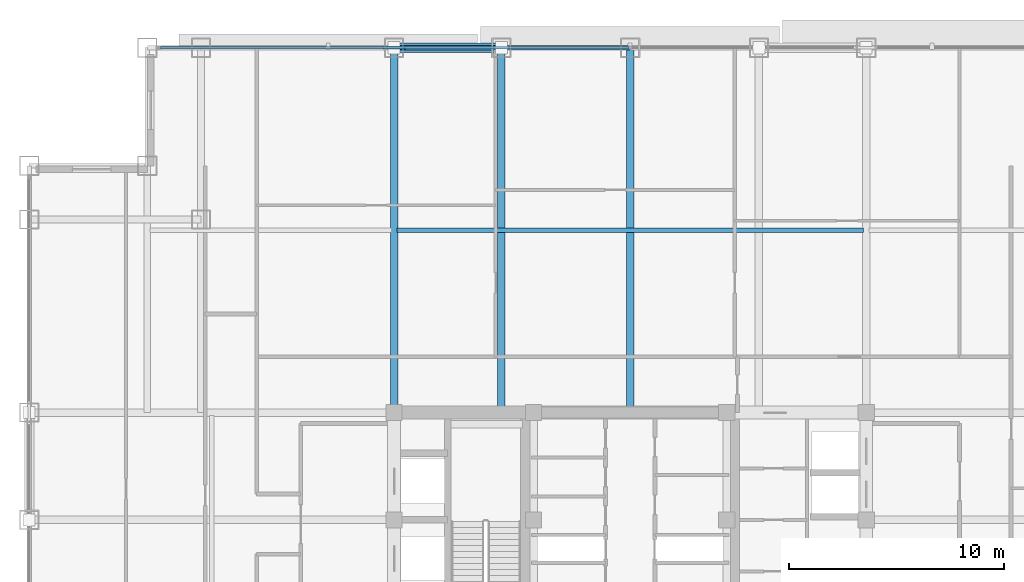
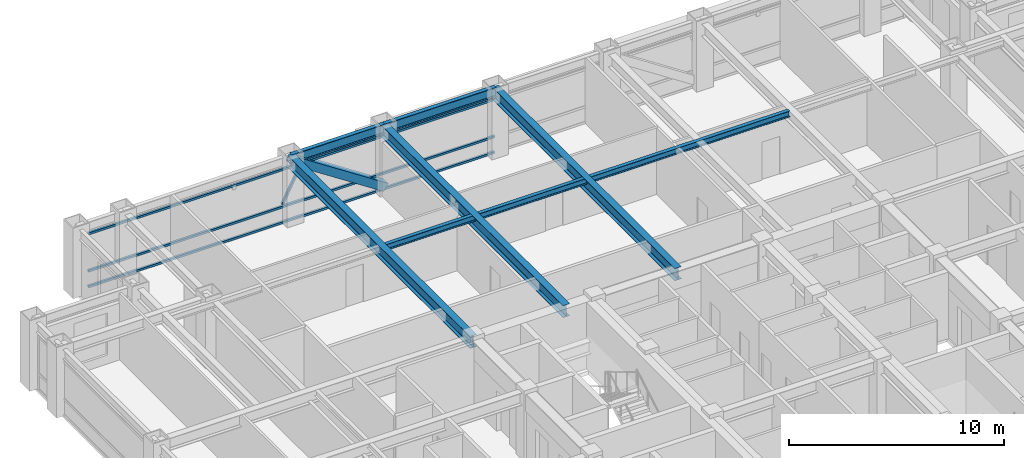
# One storey, part 15 of 29: 6 beams, 5 members, 1 element without a shape of its own.
"""IFC4 building model written with IfcOpenShell, lengths in metres."""

from ifc_helpers import new_model, si_unit, direction, frame, origin, origin_2d, place, context, subcontext, project, spatial, hollow_rectangle, i_section, extrude, source, transform, mapped, material, material_profile, profile_set, type_object, element, aggregate, save


model = new_model("IFC4")

# Units and contexts
model_context = context("Model", 3, precision=1e-05, world=origin(), true_north=direction((0.0, 1.0)))
body_context = subcontext(model_context, "Body", "Model", "MODEL_VIEW")
ifc_project = project(units=[si_unit("LENGTHUNIT", "METRE"), si_unit("AREAUNIT", "SQUARE_METRE"), si_unit("VOLUMEUNIT", "CUBIC_METRE"), si_unit("PLANEANGLEUNIT", "RADIAN"), si_unit("MASSUNIT", "GRAM", prefix="KILO")], contexts=[model_context])

# Site, building, storey
site_placement = place(None, origin())
site = spatial("IfcSite", under=ifc_project, at=site_placement, CompositionType="ELEMENT")
building_placement = place(site_placement, origin())
building = spatial("IfcBuilding", under=site, at=building_placement, Name="Khorayat Bourse Tower", CompositionType="ELEMENT")
storey_placement = place(building_placement, frame((0.0, 0.0, 277.5)))
storey = spatial("IfcBuildingStorey", under=building, at=storey_placement, Name="L65", CompositionType="ELEMENT", Elevation=277.5)

# Member
ifc_material_1 = material(Name="Steel EN 10025-4 S460M", Category="steel")
ifc_material_profile_1 = material_profile(ifc_material_1, hollow_rectangle(XDim=0.449951171875, YDim=0.449951171875, WallThickness=0.02490234375, at=origin_2d()), Name="HSS 450x450x25")
ifc_profile_set_1 = profile_set([ifc_material_profile_1], Name="Steel EN 10025-4 S460M")
member_type_1 = type_object("IfcMemberType", Name="MBR-TUBE-450", PredefinedType="BRACE", material=ifc_profile_set_1)
shared_shape_1 = source(origin(), body_context, "Body", "SweptSolid", [
    extrude(hollow_rectangle(XDim=0.449951171875, YDim=0.449951171875, WallThickness=0.02490234375, at=origin_2d()), origin(), (0.0, 0.0, 1.0), 5.979736328125),
])
member_1_placement = place(storey_placement, frame((-11.0, 28.0, 3.530029296875), z_axis=(0.836141536525, 0.0, -0.548513747227), x_axis=(0.0, 1.0, 0.0)))
element("IfcMember", 1, at=member_1_placement, inside=storey, type_object=member_type_1, Name="L65 Perimeter Tube Brace 03", PredefinedType="BRACE", context=body_context, shape_type="MappedRepresentation", body=[
    mapped(shared_shape_1, transform((0.0, 0.0, 0.0), scale=1.0)),
])

# Beams
ifc_material_2 = material(Name="Steel ASTM A992 Grade 50", Category="steel")
ifc_material_profile_2 = material_profile(ifc_material_2, i_section(OverallWidth=0.35498046875, OverallDepth=0.695068359375, WebThickness=0.015380859375, FlangeThickness=0.02490234375, FilletRadius=0.01806640625, at=origin_2d()), Name="W690X217")
ifc_profile_set_2 = profile_set([ifc_material_profile_2], Name="Steel ASTM A992 Grade 50")
beam_type_1 = type_object("IfcBeamType", Name="BM-GIRD-690", PredefinedType="BEAM", material=ifc_profile_set_2)
shared_shape_2 = source(origin(), body_context, "Body", "SweptSolid", [
    extrude(i_section(OverallWidth=0.35498046875, OverallDepth=0.695068359375, WebThickness=0.015380859375, FlangeThickness=0.02490234375, FilletRadius=0.01806640625, at=origin_2d()), origin(), (0.0, 0.0, 1.0), 17.0),
])
for number, where, z_axis, x_axis, name in (
    (2, (-11.0, 11.0, 3.4326171875), (0.0, 1.0, 0.0), (-1.0, 0.0, 0.0), "L65 BM-GIRD-690 BM-L65-RADY-064"),
    (3, (-6.0, 11.0, 3.4326171875), (0.0, 1.0, 0.0), (-1.0, 0.0, 0.0), "L65 BM-GIRD-690 BM-L65-RADY-066"),
    (4, (0.0, 11.0, 3.4326171875), (0.0, 1.0, 0.0), (-1.0, 0.0, 0.0), "L65 BM-GIRD-690 BM-L65-RADY-068"),
):
    element("IfcBeam", number, at=place(storey_placement, frame(where, z_axis=z_axis, x_axis=x_axis)), inside=storey, type_object=beam_type_1, Name=name, PredefinedType="BEAM", context=body_context, shape_type="MappedRepresentation", body=[
        mapped(shared_shape_2, transform((0.0, 0.0, 0.0), scale=1.0)),
    ])
ifc_material_profile_3 = material_profile(ifc_material_2, i_section(OverallWidth=0.202880859375, OverallDepth=0.346923828125, WebThickness=0.0078125, FlangeThickness=0.013427734375, FilletRadius=0.010009765625, at=origin_2d()), Name="W360X64")
ifc_profile_set_3 = profile_set([ifc_material_profile_3], Name="Steel ASTM A992 Grade 50")
beam_type_2 = type_object("IfcBeamType", Name="BM-JOIST-360", PredefinedType="JOIST", material=ifc_profile_set_3)
shared_shape_3 = source(origin(), body_context, "Body", "SweptSolid", [
    extrude(i_section(OverallWidth=0.202880859375, OverallDepth=0.346923828125, WebThickness=0.0078125, FlangeThickness=0.013427734375, FilletRadius=0.010009765625, at=origin_2d()), origin(), (0.0, 0.0, 1.0), 21.740234375),
])
beam_1_placement = place(storey_placement, frame((-10.8701171875, 19.5, 3.6064453125), z_axis=(1.0, 0.0, 0.0), x_axis=(0.0, 1.0, 0.0)))
element("IfcBeam", 5, at=beam_1_placement, inside=storey, type_object=beam_type_2, Name="L65 BM-JOIST-360 BM-L65-JSTX-100", PredefinedType="JOIST", context=body_context, shape_type="MappedRepresentation", body=[
    mapped(shared_shape_3, transform((0.0, 0.0, 0.0), scale=1.0)),
])
ifc_material_profile_4 = material_profile(ifc_material_2, i_section(OverallWidth=0.214111328125, OverallDepth=0.549072265625, WebThickness=0.0146484375, FlangeThickness=0.023681640625, FilletRadius=0.013916015625, at=origin_2d()), Name="W530X138")
ifc_profile_set_4 = profile_set([ifc_material_profile_4], Name="Steel ASTM A992 Grade 50")
beam_type_3 = type_object("IfcBeamType", Name="BM-SPAN-530", PredefinedType="SPANDREL", material=ifc_profile_set_4)
shared_shape_4 = source(origin(), body_context, "Body", "SweptSolid", [
    extrude(i_section(OverallWidth=0.214111328125, OverallDepth=0.549072265625, WebThickness=0.0146484375, FlangeThickness=0.023681640625, FilletRadius=0.013916015625, at=origin_2d()), origin(), (0.0, 0.0, 1.0), 5.0),
])
beam_2_placement = place(storey_placement, frame((-11.0, 28.0, 3.505615234375), z_axis=(1.0, 0.0, 0.0), x_axis=(0.0, 1.0, 0.0)))
element("IfcBeam", 6, at=beam_2_placement, inside=storey, type_object=beam_type_3, Name="L65 BM-SPAN-530 BM-L65-SPN-049", PredefinedType="SPANDREL", context=body_context, shape_type="MappedRepresentation", body=[
    mapped(shared_shape_4, transform((0.0, 0.0, 0.0), scale=1.0)),
])
shared_shape_5 = source(origin(), body_context, "Body", "SweptSolid", [
    extrude(i_section(OverallWidth=0.214111328125, OverallDepth=0.549072265625, WebThickness=0.0146484375, FlangeThickness=0.023681640625, FilletRadius=0.013916015625, at=origin_2d()), origin(), (0.0, 0.0, 1.0), 6.0),
])
beam_3_placement = place(storey_placement, frame((-6.0, 28.0, 3.505615234375), z_axis=(1.0, 0.0, 0.0), x_axis=(0.0, 1.0, 0.0)))
element("IfcBeam", 7, at=beam_3_placement, inside=storey, type_object=beam_type_3, Name="L65 BM-SPAN-530 BM-L65-SPN-048", PredefinedType="SPANDREL", context=body_context, shape_type="MappedRepresentation", body=[
    mapped(shared_shape_5, transform((0.0, 0.0, 0.0), scale=1.0)),
])

# Curtain wall, members
ifc_material_3 = material(Name="Aluminium EN AW-6063 T6", Category="aluminium")
curtain_wall_type = type_object("IfcCurtainWallType", Name="CW-SYS-04", PredefinedType="NOTDEFINED", material=ifc_material_3)
curtain_wall_placement = place(storey_placement, origin())
curtain_wall = element("IfcCurtainWall", 8, at=curtain_wall_placement, inside=storey, type_object=curtain_wall_type, Name="L65 Curtain Wall CW-L65-N1", PredefinedType="NOTDEFINED")
ifc_material_profile_5 = material_profile(ifc_material_3, hollow_rectangle(XDim=0.1201171875, YDim=0.1201171875, WallThickness=0.0048828125, at=origin_2d()), Name="ALU 120x120x5")
ifc_profile_set_5 = profile_set([ifc_material_profile_5], Name="Aluminium EN AW-6063 T6")
member_type_2 = type_object("IfcMemberType", Name="CWM-DIAG-120", PredefinedType="MULLION", material=ifc_profile_set_5)
shared_shape_6 = source(origin(), body_context, "Body", "SweptSolid", [
    extrude(hollow_rectangle(XDim=0.1201171875, YDim=0.1201171875, WallThickness=0.0048828125, at=origin_2d()), origin(), (0.0, 0.0, 1.0), 2.0791015625),
])
member_2_placement = place(storey_placement, frame((-11.4541015625, 28.0, 1.090087890625), z_axis=(0.465717394116, 0.0, 0.884933505309), x_axis=(0.0, 1.0, 0.0)))
member_2 = element("IfcMember", 9, at=member_2_placement, type_object=member_type_2, Name="CW-L65-N1 Faceted Diagonal Mullion 1", PredefinedType="MULLION", context=body_context, shape_type="MappedRepresentation", body=[
    mapped(shared_shape_6, transform((0.0, 0.0, 0.0), scale=1.0)),
])
ifc_material_profile_6 = material_profile(ifc_material_3, hollow_rectangle(XDim=0.1201171875, YDim=0.1201171875, WallThickness=0.0048828125, at=origin_2d()), Name="ALU 120x120x5")
ifc_profile_set_6 = profile_set([ifc_material_profile_6], Name="Aluminium EN AW-6063 T6")
member_type_3 = type_object("IfcMemberType", Name="CWT-HORZ-120", PredefinedType="USERDEFINED", material=ifc_profile_set_6)
shared_shape_7 = source(origin(), body_context, "Body", "SweptSolid", [
    extrude(hollow_rectangle(XDim=0.1201171875, YDim=0.1201171875, WallThickness=0.0048828125, at=origin_2d()), origin(), (0.0, 0.0, 1.0), 21.81982421875),
])
member_3_placement = place(storey_placement, frame((-21.8798828125, 28.0, 0.06005859375), z_axis=(1.0, 0.0, 0.0), x_axis=(0.0, 1.0, 0.0)))
member_3 = element("IfcMember", 10, at=member_3_placement, type_object=member_type_3, Name="CW-L65-N1 Horizontal Transom 1-1", ObjectType="TRANSOM", PredefinedType="USERDEFINED", context=body_context, shape_type="MappedRepresentation", body=[
    mapped(shared_shape_7, transform((0.0, 0.0, 0.0), scale=1.0)),
])
member_4_placement = place(storey_placement, frame((-21.8798828125, 28.0, 0.949951171875), z_axis=(1.0, 0.0, 0.0), x_axis=(0.0, 1.0, 0.0)))
member_4 = element("IfcMember", 11, at=member_4_placement, type_object=member_type_3, Name="CW-L65-N1 Horizontal Transom 1-2", ObjectType="TRANSOM", PredefinedType="USERDEFINED", context=body_context, shape_type="MappedRepresentation", body=[
    mapped(shared_shape_7, transform((0.0, 0.0, 0.0), scale=1.0)),
])
member_5_placement = place(storey_placement, frame((-21.8798828125, 28.0, 3.070068359375), z_axis=(1.0, 0.0, 0.0), x_axis=(0.0, 1.0, 0.0)))
member_5 = element("IfcMember", 12, at=member_5_placement, type_object=member_type_3, Name="CW-L65-N1 Horizontal Transom 1-3", ObjectType="TRANSOM", PredefinedType="USERDEFINED", context=body_context, shape_type="MappedRepresentation", body=[
    mapped(shared_shape_7, transform((0.0, 0.0, 0.0), scale=1.0)),
])
aggregate(curtain_wall, [member_3, member_4, member_5, member_2])

save(model, "model.ifc")
